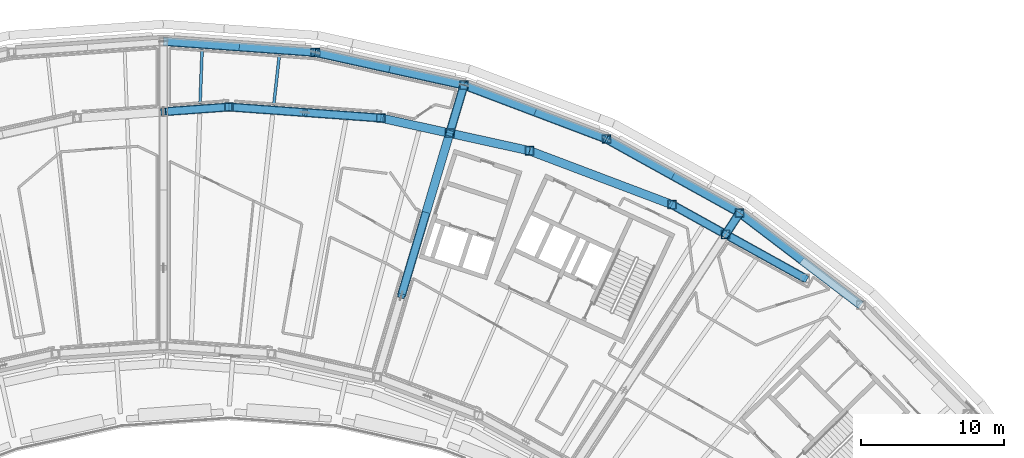
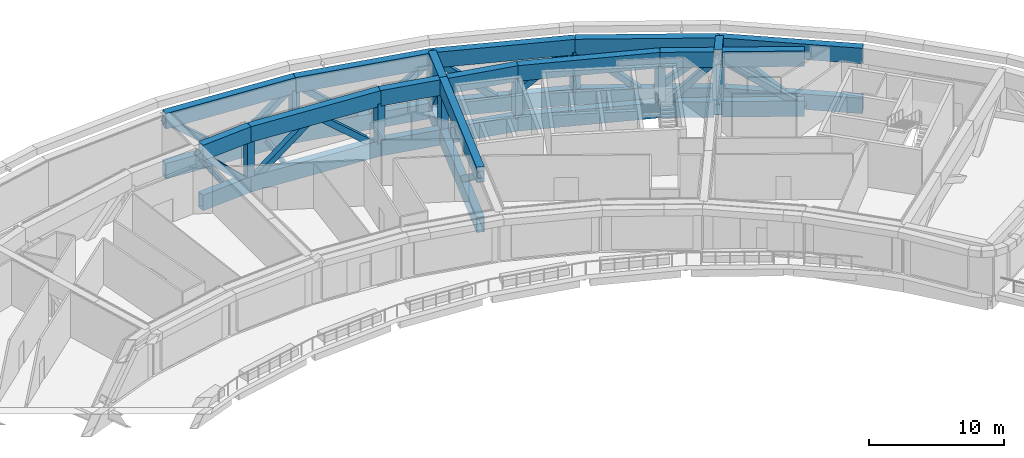
# One storey, part 5 of 24: 32 beams, 27 members.
"""IFC4 building model written with IfcOpenShell, lengths in metres."""

from ifc_helpers import new_model, si_unit, direction, frame, origin, origin_2d, place, context, subcontext, project, spatial, hollow_rectangle, i_section, extrude, material, material_profile, profile_set, type_object, element, save


model = new_model("IFC4")

# Units and contexts
model_context = context("Model", 3, precision=1e-05, world=origin(), true_north=direction((0.0, 1.0)))
body_context = subcontext(model_context, "Body", "Model", "MODEL_VIEW")
ifc_project = project(units=[si_unit("LENGTHUNIT", "METRE"), si_unit("AREAUNIT", "SQUARE_METRE"), si_unit("VOLUMEUNIT", "CUBIC_METRE"), si_unit("PLANEANGLEUNIT", "RADIAN"), si_unit("MASSUNIT", "GRAM", prefix="KILO")], contexts=[model_context])

# Site, building, storey
site_placement = place(None, origin())
site = spatial("IfcSite", under=ifc_project, at=site_placement, CompositionType="ELEMENT")
building_placement = place(site_placement, origin())
building = spatial("IfcBuilding", under=site, at=building_placement, Name="Tuul Gate Civic Tower", CompositionType="ELEMENT")
storey_placement = place(building_placement, frame((0.0, 0.0, 315.199951171875)))
storey = spatial("IfcBuildingStorey", under=building, at=storey_placement, Name="Plant and refuge floor 7", CompositionType="ELEMENT", Elevation=315.199951171875)

# Beams
ifc_material_1 = material(Name="Steel S355", Category="steel")
ifc_material_profile_1 = material_profile(ifc_material_1, i_section(OverallWidth=0.199951171875, OverallDepth=0.5, WebThickness=0.010009765625, FlangeThickness=0.01611328125, at=origin_2d()), Name="PG500x200x10x16")
ifc_profile_set_1 = profile_set([ifc_material_profile_1], Name="Steel S355")
beam_type_1 = type_object("IfcBeamType", Name="STR-FLOOR BEAM-PG500x200x10x16", PredefinedType="BEAM", material=ifc_profile_set_1)
beam_1_placement = place(storey_placement, frame((9.93115234375, 9.35498046875, -0.64990234375), z_axis=(0.110793386074, 0.993843461317, 0.0), x_axis=(-0.993843461317, 0.110793386074, 0.0)))
element("IfcBeam", 1, at=beam_1_placement, inside=storey, type_object=beam_type_1, Name="Floor beam", PredefinedType="BEAM", context=body_context, shape_type="SweptSolid", body=[
    extrude(i_section(OverallWidth=0.199951171875, OverallDepth=0.5, WebThickness=0.010009765625, FlangeThickness=0.01611328125, at=origin_2d()), origin(), (0.0, 0.0, 1.0), 3.554443359375),
])
beam_2_placement = place(storey_placement, frame((4.765380859375, 9.436279296875, -0.64990234375), z_axis=(0.037002270614, 0.999315181497, 0.0), x_axis=(-0.999315181497, 0.037002270614, 0.0)))
element("IfcBeam", 2, at=beam_2_placement, inside=storey, type_object=beam_type_1, Name="Floor beam", PredefinedType="BEAM", context=body_context, shape_type="SweptSolid", body=[
    extrude(i_section(OverallWidth=0.199951171875, OverallDepth=0.5, WebThickness=0.010009765625, FlangeThickness=0.01611328125, at=origin_2d()), origin(), (0.0, 0.0, 1.0), 3.8466796875),
])
ifc_material_2 = material(Name="Steel S460", Category="steel")
ifc_material_profile_2 = material_profile(ifc_material_2, hollow_rectangle(XDim=0.60009765625, YDim=1.39990234375, WallThickness=0.031982421875, at=origin_2d()), Name="BOX1400x600x32")
ifc_profile_set_2 = profile_set([ifc_material_profile_2], Name="Steel S460")
beam_type_2 = type_object("IfcBeamType", Name="STR-TRANSFER TRUSS CHORD-BOX1400x600x32", PredefinedType="BEAM", material=ifc_profile_set_2)
beam_3_placement = place(storey_placement, frame((23.26904296875, 10.758056640625, -1.099853515625), z_axis=(-0.285246745457, -0.958454116902, 0.0), x_axis=(0.958454116902, -0.285246745457, 0.0)))
element("IfcBeam", 3, at=beam_3_placement, inside=storey, type_object=beam_type_2, Name="Radial truss bottom chord", PredefinedType="BEAM", context=body_context, shape_type="SweptSolid", body=[
    extrude(hollow_rectangle(XDim=0.60009765625, YDim=1.39990234375, WallThickness=0.031982421875, at=origin_2d()), origin(), (0.0, 0.0, 1.0), 3.50830078125),
])
beam_4_placement = place(storey_placement, frame((22.268310546875, 7.3955078125, -1.099853515625), z_axis=(-0.285219934308, -0.958462095794, 0.0), x_axis=(0.958462095794, -0.285219934308, 0.0)))
element("IfcBeam", 4, at=beam_4_placement, inside=storey, type_object=beam_type_2, Name="Radial truss bottom chord", PredefinedType="BEAM", context=body_context, shape_type="SweptSolid", body=[
    extrude(hollow_rectangle(XDim=0.60009765625, YDim=1.39990234375, WallThickness=0.031982421875, at=origin_2d()), origin(), (0.0, 0.0, 1.0), 11.89794921875),
])
beam_5_placement = place(storey_placement, frame((23.26904296875, 10.758056640625, 3.400146484375), z_axis=(-0.285246745457, -0.958454116902, 0.0), x_axis=(0.958454116902, -0.285246745457, 0.0)))
element("IfcBeam", 5, at=beam_5_placement, inside=storey, type_object=beam_type_2, Name="Radial truss top chord", PredefinedType="BEAM", context=body_context, shape_type="SweptSolid", body=[
    extrude(hollow_rectangle(XDim=0.60009765625, YDim=1.39990234375, WallThickness=0.031982421875, at=origin_2d()), origin(), (0.0, 0.0, 1.0), 3.50830078125),
])
beam_6_placement = place(storey_placement, frame((22.268310546875, 7.3955078125, 3.400146484375), z_axis=(-0.285219934308, -0.958462095794, 0.0), x_axis=(0.958462095794, -0.285219934308, 0.0)))
element("IfcBeam", 6, at=beam_6_placement, inside=storey, type_object=beam_type_2, Name="Radial truss top chord", PredefinedType="BEAM", context=body_context, shape_type="SweptSolid", body=[
    extrude(hollow_rectangle(XDim=0.60009765625, YDim=1.39990234375, WallThickness=0.031982421875, at=origin_2d()), origin(), (0.0, 0.0, 1.0), 11.89794921875),
])
for number, where, z_axis, x_axis, name in (
    (7, (42.593994140625, 1.804931640625, -1.099853515625), (-0.546707221758, -0.837323840385, 0.0), (0.837323840385, -0.546707221758, 0.0), "Radial truss bottom chord"),
    (8, (42.593994140625, 1.804931640625, 3.400146484375), (-0.546707221758, -0.837323840385, 0.0), (0.837323840385, -0.546707221758, 0.0), "Radial truss top chord"),
):
    element("IfcBeam", number, at=place(storey_placement, frame(where, z_axis=z_axis, x_axis=x_axis)), inside=storey, type_object=beam_type_2, Name=name, PredefinedType="BEAM", context=body_context, shape_type="SweptSolid", body=[
        extrude(hollow_rectangle(XDim=0.60009765625, YDim=1.39990234375, WallThickness=0.031982421875, at=origin_2d()), origin(), (0.0, 0.0, 1.0), 1.796142578125),
    ])
for number, where, z_axis, x_axis, name in (
    (9, (23.26904296875, 10.758056640625, -1.099853515625), (-0.9765717726, 0.21519194446, 0.0), (-0.21519194446, -0.9765717726, 0.0), "Belt truss bottom chord"),
    (10, (23.26904296875, 10.758056640625, 3.400146484375), (-0.9765717726, 0.21519194446, 0.0), (-0.21519194446, -0.9765717726, 0.0), "Belt truss top chord"),
):
    element("IfcBeam", number, at=place(storey_placement, frame(where, z_axis=z_axis, x_axis=x_axis)), inside=storey, type_object=beam_type_2, Name=name, PredefinedType="BEAM", context=body_context, shape_type="SweptSolid", body=[
        extrude(hollow_rectangle(XDim=0.60009765625, YDim=1.39990234375, WallThickness=0.031982421875, at=origin_2d()), origin(), (0.0, 0.0, 1.0), 10.67822265625),
    ])
for number, where, z_axis, x_axis, name in (
    (11, (17.43798828125, 8.4599609375, -1.099853515625), (-0.997383171444, 0.072296675717, 0.0), (-0.072296675717, -0.997383171444, 0.0), "Belt truss bottom chord"),
    (12, (17.43798828125, 8.4599609375, 3.400146484375), (-0.997383171444, 0.072296675717, 0.0), (-0.072296675717, -0.997383171444, 0.0), "Belt truss top chord"),
):
    element("IfcBeam", number, at=place(storey_placement, frame(where, z_axis=z_axis, x_axis=x_axis)), inside=storey, type_object=beam_type_2, Name=name, PredefinedType="BEAM", context=body_context, shape_type="SweptSolid", body=[
        extrude(hollow_rectangle(XDim=0.60009765625, YDim=1.39990234375, WallThickness=0.031982421875, at=origin_2d()), origin(), (0.0, 0.0, 1.0), 10.677734375),
    ])
for number, where, z_axis, x_axis, name in (
    (13, (51.090087890625, -4.6630859375, -1.099853515625), (-0.795666270383, 0.605735244289, 0.0), (-0.605735244289, -0.795666270383, 0.0), "Belt truss bottom chord"),
    (14, (51.090087890625, -4.6630859375, 3.400146484375), (-0.795666270383, 0.605735244289, 0.0), (-0.605735244289, -0.795666270383, 0.0), "Belt truss top chord"),
):
    element("IfcBeam", number, at=place(storey_placement, frame(where, z_axis=z_axis, x_axis=x_axis)), inside=storey, type_object=beam_type_2, Name=name, PredefinedType="BEAM", context=body_context, shape_type="SweptSolid", body=[
        extrude(hollow_rectangle(XDim=0.60009765625, YDim=1.39990234375, WallThickness=0.031982421875, at=origin_2d()), origin(), (0.0, 0.0, 1.0), 10.677978515625),
    ])
beam_7_placement = place(storey_placement, frame((47.19091796875, -2.791015625, -1.099853515625), z_axis=(-0.874643035035, 0.48476753322, 0.0), x_axis=(-0.48476753322, -0.874643035035, 0.0)))
element("IfcBeam", 15, at=beam_7_placement, inside=storey, type_object=beam_type_2, Name="Belt truss bottom chord", PredefinedType="BEAM", context=body_context, shape_type="SweptSolid", body=[
    extrude(hollow_rectangle(XDim=0.60009765625, YDim=1.39990234375, WallThickness=0.031982421875, at=origin_2d()), origin(), (0.0, 0.0, 1.0), 6.08740234375),
])
beam_8_placement = place(storey_placement, frame((41.357421875, 0.442138671875, -1.099853515625), z_axis=(-0.874639579051, 0.484773768637, 0.0), x_axis=(-0.484773768637, -0.874639579051, 0.0)))
element("IfcBeam", 16, at=beam_8_placement, inside=storey, type_object=beam_type_2, Name="Belt truss bottom chord", PredefinedType="BEAM", context=body_context, shape_type="SweptSolid", body=[
    extrude(hollow_rectangle(XDim=0.60009765625, YDim=1.39990234375, WallThickness=0.031982421875, at=origin_2d()), origin(), (0.0, 0.0, 1.0), 4.0078125),
])
beam_9_placement = place(storey_placement, frame((47.19091796875, -2.791015625, 3.400146484375), z_axis=(-0.874643035035, 0.48476753322, 0.0), x_axis=(-0.48476753322, -0.874643035035, 0.0)))
element("IfcBeam", 17, at=beam_9_placement, inside=storey, type_object=beam_type_2, Name="Belt truss top chord", PredefinedType="BEAM", context=body_context, shape_type="SweptSolid", body=[
    extrude(hollow_rectangle(XDim=0.60009765625, YDim=1.39990234375, WallThickness=0.031982421875, at=origin_2d()), origin(), (0.0, 0.0, 1.0), 6.08740234375),
])
beam_10_placement = place(storey_placement, frame((41.357421875, 0.442138671875, 3.400146484375), z_axis=(-0.874639579051, 0.484773768637, 0.0), x_axis=(-0.484773768637, -0.874639579051, 0.0)))
element("IfcBeam", 18, at=beam_10_placement, inside=storey, type_object=beam_type_2, Name="Belt truss top chord", PredefinedType="BEAM", context=body_context, shape_type="SweptSolid", body=[
    extrude(hollow_rectangle(XDim=0.60009765625, YDim=1.39990234375, WallThickness=0.031982421875, at=origin_2d()), origin(), (0.0, 0.0, 1.0), 4.0078125),
])
for number, where, z_axis, x_axis, name in (
    (19, (37.85205078125, 2.385009765625, -1.099853515625), (-0.935341677357, 0.353745595873, 0.0), (-0.353745595873, -0.935341677357, 0.0), "Belt truss bottom chord"),
    (20, (37.85205078125, 2.385009765625, 3.400146484375), (-0.935341677357, 0.353745595873, 0.0), (-0.353745595873, -0.935341677357, 0.0), "Belt truss top chord"),
):
    element("IfcBeam", number, at=place(storey_placement, frame(where, z_axis=z_axis, x_axis=x_axis)), inside=storey, type_object=beam_type_2, Name=name, PredefinedType="BEAM", context=body_context, shape_type="SweptSolid", body=[
        extrude(hollow_rectangle(XDim=0.60009765625, YDim=1.39990234375, WallThickness=0.031982421875, at=origin_2d()), origin(), (0.0, 0.0, 1.0), 10.677490234375),
    ])
beam_11_placement = place(storey_placement, frame((27.864990234375, 6.162109375, -1.099853515625), z_axis=(-0.976565339793, 0.21522113538, 0.0), x_axis=(-0.21522113538, -0.976565339793, 0.0)))
element("IfcBeam", 21, at=beam_11_placement, inside=storey, type_object=beam_type_2, Name="Belt truss bottom chord", PredefinedType="BEAM", context=body_context, shape_type="SweptSolid", body=[
    extrude(hollow_rectangle(XDim=0.60009765625, YDim=1.39990234375, WallThickness=0.031982421875, at=origin_2d()), origin(), (0.0, 0.0, 1.0), 5.43017578125),
])
beam_12_placement = place(storey_placement, frame((21.974609375, 7.460205078125, -1.099853515625), z_axis=(-0.976567647953, 0.215210661843, 0.0), x_axis=(-0.215210661843, -0.976567647953, 0.0)))
element("IfcBeam", 22, at=beam_12_placement, inside=storey, type_object=beam_type_2, Name="Belt truss bottom chord", PredefinedType="BEAM", context=body_context, shape_type="SweptSolid", body=[
    extrude(hollow_rectangle(XDim=0.60009765625, YDim=1.39990234375, WallThickness=0.031982421875, at=origin_2d()), origin(), (0.0, 0.0, 1.0), 4.6455078125),
])
beam_13_placement = place(storey_placement, frame((27.864990234375, 6.162109375, 3.400146484375), z_axis=(-0.976565339793, 0.21522113538, 0.0), x_axis=(-0.21522113538, -0.976565339793, 0.0)))
element("IfcBeam", 23, at=beam_13_placement, inside=storey, type_object=beam_type_2, Name="Belt truss top chord", PredefinedType="BEAM", context=body_context, shape_type="SweptSolid", body=[
    extrude(hollow_rectangle(XDim=0.60009765625, YDim=1.39990234375, WallThickness=0.031982421875, at=origin_2d()), origin(), (0.0, 0.0, 1.0), 5.43017578125),
])
beam_14_placement = place(storey_placement, frame((21.974609375, 7.460205078125, 3.400146484375), z_axis=(-0.976567647953, 0.215210661843, 0.0), x_axis=(-0.215210661843, -0.976567647953, 0.0)))
element("IfcBeam", 24, at=beam_14_placement, inside=storey, type_object=beam_type_2, Name="Belt truss top chord", PredefinedType="BEAM", context=body_context, shape_type="SweptSolid", body=[
    extrude(hollow_rectangle(XDim=0.60009765625, YDim=1.39990234375, WallThickness=0.031982421875, at=origin_2d()), origin(), (0.0, 0.0, 1.0), 4.6455078125),
])
for number, where, z_axis, x_axis, name in (
    (25, (42.593994140625, 1.804931640625, -1.099853515625), (-0.874582982831, 0.484875866736, 0.0), (-0.484875866736, -0.874582982831, 0.0), "Belt truss bottom chord"),
    (26, (42.593994140625, 1.804931640625, 3.400146484375), (-0.874582982831, 0.484875866736, 0.0), (-0.484875866736, -0.874582982831, 0.0), "Belt truss top chord"),
    (27, (33.256103515625, 6.98193359375, -1.099853515625), (-0.935371936658, 0.353665576657, 0.0), (-0.353665576657, -0.935371936658, 0.0), "Belt truss bottom chord"),
    (28, (33.256103515625, 6.98193359375, 3.400146484375), (-0.935371936658, 0.353665576657, 0.0), (-0.353665576657, -0.935371936658, 0.0), "Belt truss top chord"),
):
    element("IfcBeam", number, at=place(storey_placement, frame(where, z_axis=z_axis, x_axis=x_axis)), inside=storey, type_object=beam_type_2, Name=name, PredefinedType="BEAM", context=body_context, shape_type="SweptSolid", body=[
        extrude(hollow_rectangle(XDim=0.60009765625, YDim=1.39990234375, WallThickness=0.031982421875, at=origin_2d()), origin(), (0.0, 0.0, 1.0), 10.677001953125),
    ])
for number, where, z_axis, x_axis, name in (
    (29, (6.7880859375, 9.23193359375, -1.099853515625), (-0.997385388086, -0.072266089095, 0.0), (0.072266089095, -0.997385388086, 0.0), "Belt truss bottom chord"),
    (30, (6.7880859375, 9.23193359375, 3.400146484375), (-0.997385388086, -0.072266089095, 0.0), (0.072266089095, -0.997385388086, 0.0), "Belt truss top chord"),
):
    element("IfcBeam", number, at=place(storey_placement, frame(where, z_axis=z_axis, x_axis=x_axis)), inside=storey, type_object=beam_type_2, Name=name, PredefinedType="BEAM", context=body_context, shape_type="SweptSolid", body=[
        extrude(hollow_rectangle(XDim=0.60009765625, YDim=1.39990234375, WallThickness=0.031982421875, at=origin_2d()), origin(), (0.0, 0.0, 1.0), 4.307373046875),
    ])
for number, where, z_axis, x_axis, name in (
    (31, (12.841064453125, 13.055908203125, -1.099853515625), (-0.997382812887, 0.072301622099, 0.0), (-0.072301622099, -0.997382812887, 0.0), "Belt truss bottom chord"),
    (32, (12.841064453125, 13.055908203125, 3.400146484375), (-0.997382812887, 0.072301622099, 0.0), (-0.072301622099, -0.997382812887, 0.0), "Belt truss top chord"),
):
    element("IfcBeam", number, at=place(storey_placement, frame(where, z_axis=z_axis, x_axis=x_axis)), inside=storey, type_object=beam_type_2, Name=name, PredefinedType="BEAM", context=body_context, shape_type="SweptSolid", body=[
        extrude(hollow_rectangle(XDim=0.60009765625, YDim=1.39990234375, WallThickness=0.031982421875, at=origin_2d()), origin(), (0.0, 0.0, 1.0), 10.677001953125),
    ])

# Members
ifc_material_3 = material(Name="Steel S355", Category="steel")
ifc_material_profile_3 = material_profile(ifc_material_3, hollow_rectangle(XDim=0.5, YDim=0.5, WallThickness=0.02001953125, at=origin_2d()), Name="BOX500x500x20")
ifc_profile_set_3 = profile_set([ifc_material_profile_3], Name="Steel S355")
member_type_1 = type_object("IfcMemberType", Name="STR-TRANSFER TRUSS DIAGONAL-BOX500x500x20", PredefinedType="BRACE", material=ifc_profile_set_3)
member_1_placement = place(storey_placement, frame((23.269775390625, 10.760986328125, -1.10400390625), z_axis=(-0.175330602191, -0.589290211555, 0.788667373803), x_axis=(0.958475816615, -0.285173822368, 0.0)))
element("IfcMember", 33, at=member_1_placement, inside=storey, type_object=member_type_1, Name="Radial truss web", PredefinedType="BRACE", context=body_context, shape_type="SweptSolid", body=[
    extrude(hollow_rectangle(XDim=0.5, YDim=0.5, WallThickness=0.02001953125, at=origin_2d()), origin(), (0.0, 0.0, 1.0), 5.716064453125),
])
member_2_placement = place(storey_placement, frame((20.57275390625, 1.697509765625, -1.10302734375), z_axis=(-0.227493812012, -0.764392282719, 0.603283518436), x_axis=(0.958453412374, -0.285249112722, 0.0)))
element("IfcMember", 34, at=member_2_placement, inside=storey, type_object=member_type_1, Name="Radial truss web", PredefinedType="BRACE", context=body_context, shape_type="SweptSolid", body=[
    extrude(hollow_rectangle(XDim=0.5, YDim=0.5, WallThickness=0.02001953125, at=origin_2d()), origin(), (0.0, 0.0, 1.0), 7.46923828125),
])
member_3_placement = place(storey_placement, frame((42.594970703125, 1.806640625, -1.1044921875), z_axis=(-0.202646235158, -0.310405759214, 0.928753340787), x_axis=(0.837354140969, -0.546660811292, 0.0)))
element("IfcMember", 35, at=member_3_placement, inside=storey, type_object=member_type_1, Name="Radial truss web", PredefinedType="BRACE", context=body_context, shape_type="SweptSolid", body=[
    extrude(hollow_rectangle(XDim=0.5, YDim=0.5, WallThickness=0.02001953125, at=origin_2d()), origin(), (0.0, 0.0, 1.0), 4.855224609375),
])
member_4_placement = place(storey_placement, frame((18.05126953125, 11.90771484375, -1.103271484375), z_axis=(0.746706722822, -0.16454990343, 0.644478393256), x_axis=(0.215204102376, 0.97656909347, 0.0)))
element("IfcMember", 36, at=member_4_placement, inside=storey, type_object=member_type_1, Name="Belt truss web", PredefinedType="BRACE", context=body_context, shape_type="SweptSolid", body=[
    extrude(hollow_rectangle(XDim=0.5, YDim=0.5, WallThickness=0.02001953125, at=origin_2d()), origin(), (0.0, 0.0, 1.0), 6.99267578125),
])
member_5_placement = place(storey_placement, frame((18.058837890625, 11.90625, -1.103271484375), z_axis=(-0.746722169207, 0.16454561359, 0.644461591612), x_axis=(-0.215194506432, -0.976571208055, 0.0)))
element("IfcMember", 37, at=member_5_placement, inside=storey, type_object=member_type_1, Name="Belt truss web", PredefinedType="BRACE", context=body_context, shape_type="SweptSolid", body=[
    extrude(hollow_rectangle(XDim=0.5, YDim=0.5, WallThickness=0.02001953125, at=origin_2d()), origin(), (0.0, 0.0, 1.0), 6.992919921875),
])
member_6_placement = place(storey_placement, frame((17.44189453125, 8.459716796875, -1.103271484375), z_axis=(-0.762624553429, 0.055268720784, 0.644475879309), x_axis=(-0.072282160226, -0.997384223513, 0.0)))
element("IfcMember", 38, at=member_6_placement, inside=storey, type_object=member_type_1, Name="Belt truss web", PredefinedType="BRACE", context=body_context, shape_type="SweptSolid", body=[
    extrude(hollow_rectangle(XDim=0.5, YDim=0.5, WallThickness=0.02001953125, at=origin_2d()), origin(), (0.0, 0.0, 1.0), 6.99267578125),
])
for number, where, z_axis, x_axis, name in (
    (39, (6.7841796875, 9.232177734375, -1.103271484375), (0.762609944733, -0.055270192405, 0.644493039549), (0.072285452254, 0.997383984929, 0.0), "Belt truss web"),
    (40, (46.844970703125, -1.431396484375, -1.103271484375), (-0.608354815506, 0.463179234533, 0.644491594319), (-0.605770771616, -0.795639222421, 0.0), "Belt truss web"),
):
    element("IfcMember", number, at=place(storey_placement, frame(where, z_axis=z_axis, x_axis=x_axis)), inside=storey, type_object=member_type_1, Name=name, PredefinedType="BRACE", context=body_context, shape_type="SweptSolid", body=[
        extrude(hollow_rectangle(XDim=0.5, YDim=0.5, WallThickness=0.02001953125, at=origin_2d()), origin(), (0.0, 0.0, 1.0), 6.992431640625),
    ])
member_7_placement = place(storey_placement, frame((47.194580078125, -2.79296875, -1.102783203125), z_axis=(-0.714705049372, 0.396100464625, 0.576455648187), x_axis=(-0.484746884044, -0.874654479443, 0.0)))
element("IfcMember", 41, at=member_7_placement, inside=storey, type_object=member_type_1, Name="Belt truss web", PredefinedType="BRACE", context=body_context, shape_type="SweptSolid", body=[
    extrude(hollow_rectangle(XDim=0.5, YDim=0.5, WallThickness=0.02001953125, at=origin_2d()), origin(), (0.0, 0.0, 1.0), 7.816162109375),
])
member_8_placement = place(storey_placement, frame((37.848876953125, 2.38671875, -1.103515625), z_axis=(0.604187864471, -0.334876587659, 0.723059261377), x_axis=(0.484776161205, 0.874638252952, 0.0)))
element("IfcMember", 42, at=member_8_placement, inside=storey, type_object=member_type_1, Name="Belt truss web", PredefinedType="BRACE", context=body_context, shape_type="SweptSolid", body=[
    extrude(hollow_rectangle(XDim=0.5, YDim=0.5, WallThickness=0.02001953125, at=origin_2d()), origin(), (0.0, 0.0, 1.0), 6.2333984375),
])
for number, where, z_axis, x_axis, name in (
    (43, (37.921630859375, 4.395263671875, -1.103271484375), (0.668713097024, -0.370704205885, 0.644516241539), (0.484840118043, 0.87460280124, 0.0), "Belt truss web"),
    (44, (37.92822265625, 4.3916015625, -1.103271484375), (-0.668685138022, 0.370742979245, 0.644522947248), (-0.484894414167, -0.874572699728, 0.0), "Belt truss web"),
):
    element("IfcMember", number, at=place(storey_placement, frame(where, z_axis=z_axis, x_axis=x_axis)), inside=storey, type_object=member_type_1, Name=name, PredefinedType="BRACE", context=body_context, shape_type="SweptSolid", body=[
        extrude(hollow_rectangle(XDim=0.5, YDim=0.5, WallThickness=0.02001953125, at=origin_2d()), origin(), (0.0, 0.0, 1.0), 6.9921875),
    ])
member_9_placement = place(storey_placement, frame((28.259033203125, 8.871337890625, -1.103271484375), z_axis=(0.715168043348, -0.270396510482, 0.644531145014), x_axis=(0.353654552993, 0.935376104649, 0.0)))
element("IfcMember", 45, at=member_9_placement, inside=storey, type_object=member_type_1, Name="Belt truss web", PredefinedType="BRACE", context=body_context, shape_type="SweptSolid", body=[
    extrude(hollow_rectangle(XDim=0.5, YDim=0.5, WallThickness=0.02001953125, at=origin_2d()), origin(), (0.0, 0.0, 1.0), 6.991943359375),
])
member_10_placement = place(storey_placement, frame((28.26611328125, 8.86865234375, -1.103271484375), z_axis=(-0.715185100828, 0.270389758376, 0.644515050343), x_axis=(-0.35363944655, -0.935381816075, 0.0)))
element("IfcMember", 46, at=member_10_placement, inside=storey, type_object=member_type_1, Name="Belt truss web", PredefinedType="BRACE", context=body_context, shape_type="SweptSolid", body=[
    extrude(hollow_rectangle(XDim=0.5, YDim=0.5, WallThickness=0.02001953125, at=origin_2d()), origin(), (0.0, 0.0, 1.0), 6.9921875),
])
member_11_placement = place(storey_placement, frame((6.79150390625, 9.232177734375, -1.103515625), z_axis=(-0.713557488037, -0.051736134833, 0.698683822354), x_axis=(0.072314681815, -0.997381866084, 0.0)))
element("IfcMember", 47, at=member_11_placement, inside=storey, type_object=member_type_1, Name="Belt truss web", PredefinedType="BRACE", context=body_context, shape_type="SweptSolid", body=[
    extrude(hollow_rectangle(XDim=0.5, YDim=0.5, WallThickness=0.02001953125, at=origin_2d()), origin(), (0.0, 0.0, 1.0), 6.450927734375),
])
for number, where, z_axis, x_axis, name in (
    (48, (7.5126953125, 13.4423828125, -1.103271484375), (0.762579251632, -0.055307945723, 0.644526117485), (0.07233746606, 0.997380213862, 0.0), "Belt truss web"),
    (49, (7.520263671875, 13.441650390625, -1.103271484375), (-0.762579251632, 0.055307945723, 0.644526117485), (-0.07233746606, -0.997380213862, 0.0), "Belt truss web"),
):
    element("IfcMember", number, at=place(storey_placement, frame(where, z_axis=z_axis, x_axis=x_axis)), inside=storey, type_object=member_type_1, Name=name, PredefinedType="BRACE", context=body_context, shape_type="SweptSolid", body=[
        extrude(hollow_rectangle(XDim=0.5, YDim=0.5, WallThickness=0.02001953125, at=origin_2d()), origin(), (0.0, 0.0, 1.0), 6.9921875),
    ])
ifc_material_4 = material(Name="Steel S355", Category="steel")
ifc_material_profile_4 = material_profile(ifc_material_4, hollow_rectangle(XDim=0.60009765625, YDim=0.60009765625, WallThickness=0.028076171875, at=origin_2d()), Name="BOX600x600x28")
ifc_profile_set_4 = profile_set([ifc_material_profile_4], Name="Steel S355")
member_type_2 = type_object("IfcMemberType", Name="STR-TRUSS POST-BOX600x600x28", PredefinedType="POST", material=ifc_profile_set_4)
for number, where, z_axis, x_axis, name in (
    (50, (23.26904296875, 10.758056640625, -0.64501953125), (0.0, 0.0, 1.0), (1.0, 0.0, 0.0), "Radial truss post"),
    (51, (22.268310546875, 7.3955078125, -0.64501953125), (0.0, 0.0, 1.0), (1.0, 0.0, 0.0), "Radial truss post"),
    (52, (42.593994140625, 1.804931640625, -0.64501953125), (0.0, 0.0, 1.0), (1.0, 0.0, 0.0), "Radial truss post"),
    (53, (41.612060546875, 0.301025390625, -0.64501953125), (0.0, 0.0, 1.0), (1.0, 0.0, 0.0), "Radial truss post"),
    (54, (12.841064453125, 13.055908203125, -0.64501953125), (0.0, 0.0, 1.0), (1.0, 0.0, 0.0), "Belt truss post"),
    (55, (17.43798828125, 8.4599609375, -0.64501953125), (0.0, 0.0, 1.0), (1.0, 0.0, 0.0), "Belt truss post"),
    (56, (6.7880859375, 9.23193359375, -0.64501953125), (0.0, 0.0, 1.0), (1.0, 0.0, 0.0), "Belt truss post"),
    (57, (37.85205078125, 2.385009765625, -0.64501953125), (0.0, 0.0, 1.0), (1.0, 0.0, 0.0), "Belt truss post"),
    (58, (27.864990234375, 6.162109375, -0.64501953125), (0.0, 0.0, 1.0), (1.0, 0.0, 0.0), "Belt truss post"),
    (59, (33.256103515625, 6.98193359375, -0.64501953125), (0.0, 0.0, 1.0), (1.0, 0.0, 0.0), "Belt truss post"),
):
    element("IfcMember", number, at=place(storey_placement, frame(where, z_axis=z_axis, x_axis=x_axis)), inside=storey, type_object=member_type_2, Name=name, PredefinedType="POST", context=body_context, shape_type="SweptSolid", body=[
        extrude(hollow_rectangle(XDim=0.60009765625, YDim=0.60009765625, WallThickness=0.028076171875, at=origin_2d()), origin(), (0.0, 0.0, 1.0), 3.590087890625),
    ])

save(model, "model.ifc")
